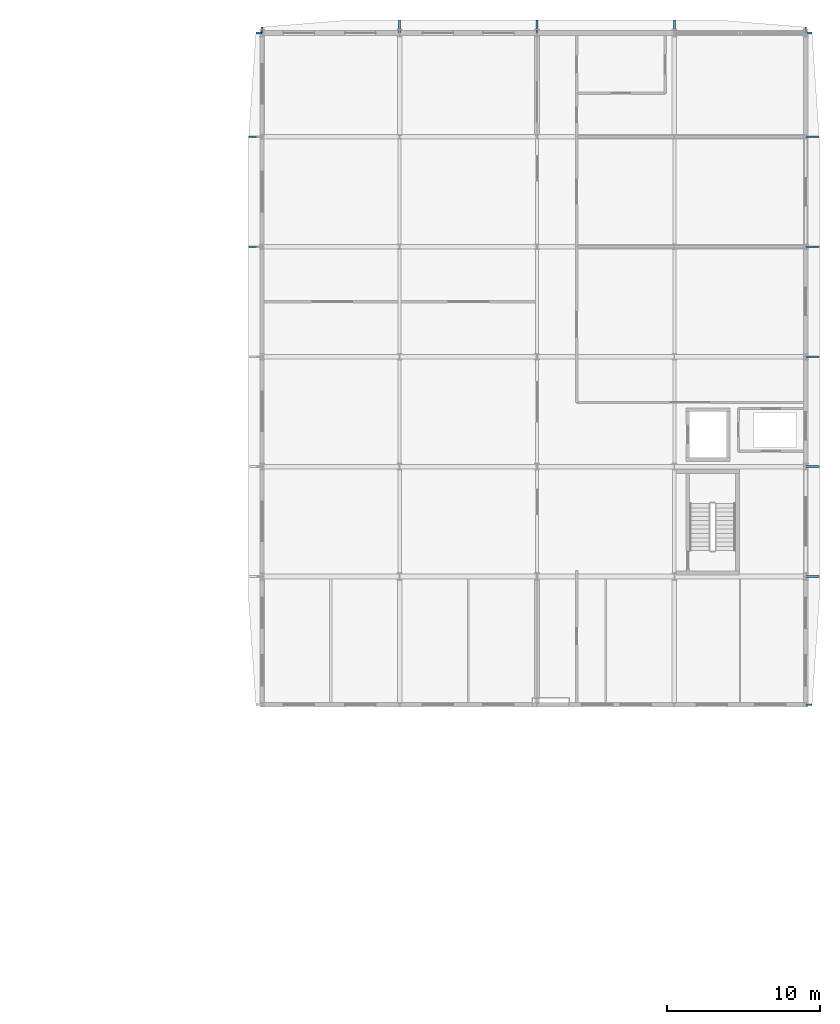
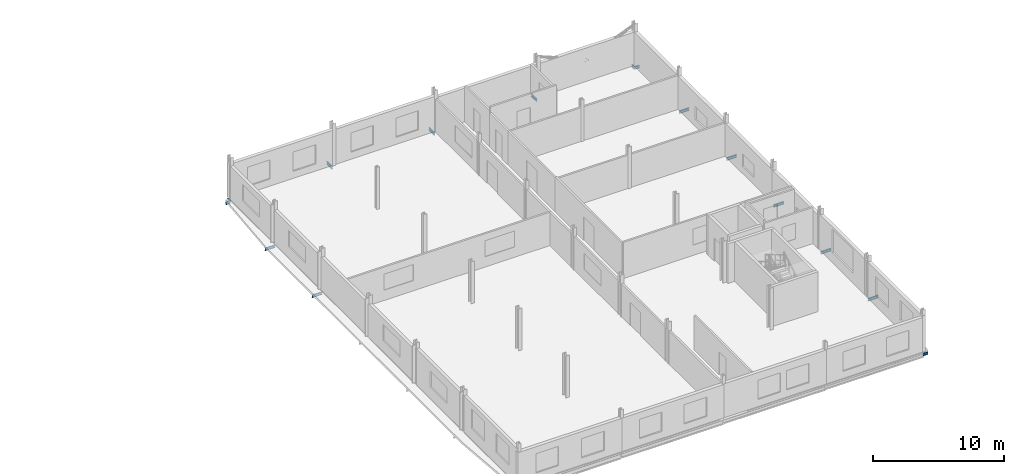
# One storey, part 28 of 49: 15 beams.
"""IFC4 building model written with IfcOpenShell, lengths in metres."""

import ifcopenshell
import ifcopenshell.guid

model = None  # the IFC model being written
_history = None  # IfcOwnerHistory: only IFC2X3 demands one
_inside = {}  # id of a spatial element -> (the spatial element, [elements in it])
_under = {}  # id of a project, library or spatial element -> (it, [spatial elements below it])
_declared = {}  # id of a project -> (the project, [libraries it declares])
_typed = {}  # id of a type object -> (the type object, [elements of that type])
_made_of = {}  # id of a material, layer set ... -> (it, [elements and type objects made of it])


def new_model(schema):
    """Start an empty IFC model of exactly this schema.

    Asked for "IFC4X3", IfcOpenShell would pick the latest addendum, in which some entities
    have other attributes; the version numbers below select the first issue.
    IFC2X3 requires an IfcOwnerHistory on every rooted entity: one is made here for all.
    """
    global model, _history
    if schema == "IFC4X3":
        model = ifcopenshell.file(schema_version=(4, 3, 0, 0))
    else:
        model = ifcopenshell.file(schema=schema)
    _inside.clear()
    _under.clear()
    _declared.clear()
    _typed.clear()
    _made_of.clear()
    _history = None
    if model.schema == "IFC2X3":
        org = make("IfcOrganization", Name="unknown")
        user = make(
            "IfcPersonAndOrganization",
            ThePerson=make("IfcPerson", FamilyName="unknown"),
            TheOrganization=org,
        )
        app = make(
            "IfcApplication",
            ApplicationDeveloper=org,
            Version="unknown",
            ApplicationFullName="unknown",
            ApplicationIdentifier="unknown",
        )
        _history = make(
            "IfcOwnerHistory",
            OwningUser=user,
            OwningApplication=app,
            ChangeAction="ADDED",
            CreationDate=0,
        )
    return model


def make(cls, **values):
    """One entity of the class cls with the attributes given. An attribute that is None is left unset."""
    return model.create_entity(
        cls, **{name: value for name, value in values.items() if value is not None}
    )


def rooted(cls, **values):
    """An entity with a GlobalId (a new one), such as an element, a storey or a relation."""
    return make(cls, GlobalId=ifcopenshell.guid.new(), OwnerHistory=_history, **values)


def si_unit(unit_type, name, prefix=None):
    """IfcSIUnit, for example si_unit("LENGTHUNIT", "METRE", prefix="MILLI")."""
    return make("IfcSIUnit", UnitType=unit_type, Prefix=prefix, Name=name)


def assignment(units):
    """IfcUnitAssignment: the units of a project."""
    return None if units is None else make("IfcUnitAssignment", Units=units)


def point(xyz):
    """IfcCartesianPoint."""
    return None if xyz is None else make("IfcCartesianPoint", Coordinates=xyz)


def direction(xyz):
    """IfcDirection."""
    return None if xyz is None else make("IfcDirection", DirectionRatios=xyz)


def frame(location, z_axis=None, x_axis=None):
    """IfcAxis2Placement3D, a coordinate frame: its origin and axes. An axis left out is left unset."""
    return make(
        "IfcAxis2Placement3D",
        Location=point(location),
        Axis=direction(z_axis),
        RefDirection=direction(x_axis),
    )


def frame_2d(location, x_axis=None):
    """IfcAxis2Placement2D, a coordinate frame in the plane: its origin and x axis."""
    return make(
        "IfcAxis2Placement2D", Location=point(location), RefDirection=direction(x_axis)
    )


def origin():
    """The frame at (0, 0, 0) with its axes left unset."""
    return frame((0.0, 0.0, 0.0))


def origin_2d():
    """The frame at (0, 0) in the plane with its x axis left unset."""
    return frame_2d((0.0, 0.0))


def place(relative_to, where):
    """IfcLocalPlacement: puts the frame where relative to a parent placement (None: the world)."""
    return make(
        "IfcLocalPlacement", PlacementRelTo=relative_to, RelativePlacement=where
    )


def context(
    kind, dimensions, precision=None, world=None, true_north=None, identifier=None
):
    """IfcGeometricRepresentationContext, for example the 3D "Model" context."""
    return make(
        "IfcGeometricRepresentationContext",
        ContextIdentifier=identifier,
        ContextType=kind,
        CoordinateSpaceDimension=dimensions,
        Precision=precision,
        WorldCoordinateSystem=world,
        TrueNorth=true_north,
    )


def subcontext(parent, identifier, kind, view, scale=None):
    """IfcGeometricRepresentationSubContext, for example "Body" below "Model"."""
    return make(
        "IfcGeometricRepresentationSubContext",
        ContextIdentifier=identifier,
        ContextType=kind,
        ParentContext=parent,
        TargetScale=scale,
        TargetView=view,
    )


def project(units=None, contexts=None):
    """IfcProject with its units and contexts."""
    return rooted(
        "IfcProject",
        Name="project",
        RepresentationContexts=contexts,
        UnitsInContext=assignment(units),
    )


def spatial(cls, under=None, at=None, **own):
    """A site, building, storey or space (cls), placed at a placement, below another one or the project."""
    s = rooted(cls, ObjectPlacement=at, **own)
    if under is not None:
        _under.setdefault(under.id(), (under, []))[1].append(s)
    return s


def profile(cls, at=None, kind="AREA", **sizes):
    """A parametric profile (cls). Its sizes go by their IFC names, for example OverallWidth=200.0."""
    return make(cls, ProfileType=kind, Position=at, **sizes)


def i_section(**sizes):
    """IfcIShapeProfileDef."""
    return profile("IfcIShapeProfileDef", **sizes)


def extrude(swept, where, along, depth):
    """IfcExtrudedAreaSolid: the profile swept, set in the frame where, extruded along a direction by depth."""
    return make(
        "IfcExtrudedAreaSolid",
        SweptArea=swept,
        Position=where,
        ExtrudedDirection=direction(along),
        Depth=depth,
    )


def shape(context_of_items, identifier, shape_type, items):
    """IfcShapeRepresentation: the items that make up one representation, for example the "Body"."""
    return make(
        "IfcShapeRepresentation",
        ContextOfItems=context_of_items,
        RepresentationIdentifier=identifier,
        RepresentationType=shape_type,
        Items=items,
    )


def material(Name=None, Category=None):
    """IfcMaterial."""
    return make("IfcMaterial", Name=Name, Category=Category)


def material_profile(
    of_material, cross_section, Name=None, Category=None, Priority=None
):
    """IfcMaterialProfile: a cross section and its material."""
    return make(
        "IfcMaterialProfile",
        Name=Name,
        Material=of_material,
        Profile=cross_section,
        Priority=Priority,
        Category=Category,
    )


def profile_set(profiles, Name=None, composite=None):
    """IfcMaterialProfileSet."""
    return make(
        "IfcMaterialProfileSet",
        Name=Name,
        MaterialProfiles=profiles,
        CompositeProfile=composite,
    )


def made_of(thing, what):
    """Note that an element or type object is made of a material, layer set ...; save() writes the relation."""
    if what is not None:
        _made_of.setdefault(what.id(), (what, []))[1].append(thing)
    return thing


def type_object(cls, material=None, **own):
    """A type object (cls), such as IfcWallType, which elements share."""
    return made_of(rooted(cls, **own), material)


def element(
    cls,
    number,
    at=None,
    inside=None,
    cuts=None,
    type_object=None,
    material=None,
    context=None,
    identifier="Body",
    shape_type=None,
    held_by="IfcProductDefinitionShape",
    body=None,
    shapes=None,
    **own,
):
    """One element of the class cls, such as IfcWall. Its Tag is "e" and its number.

    at: its placement. inside: the storey or other place that contains it. cuts: it is an
    opening in that element (IfcRelVoidsElement). A single representation is given by context,
    identifier, shape_type and body (its items); several are given by shapes. held_by: the class
    of the entity that holds the representations. save() writes the other relations.
    """
    e = rooted(cls, Tag="e%d" % number, ObjectPlacement=at, **own)
    if body is not None:
        shapes = [shape(context, identifier, shape_type, body)]
    if shapes is not None:
        e.Representation = make(held_by, Representations=shapes)
    if inside is not None:
        _inside.setdefault(inside.id(), (inside, []))[1].append(e)
    if cuts is not None:
        rooted(
            "IfcRelVoidsElement", RelatingBuildingElement=cuts, RelatedOpeningElement=e
        )
    if type_object is not None:
        _typed.setdefault(type_object.id(), (type_object, []))[1].append(e)
    return made_of(e, material)


def aggregate(whole, parts):
    """IfcRelAggregates: a whole, such as a stair, and the parts it consists of."""
    return rooted("IfcRelAggregates", RelatingObject=whole, RelatedObjects=parts)


def save(model, path):
    """Write the relations noted so far, then the file.

    IfcRelAggregates (storeys below a building ...), IfcRelContainedInSpatialStructure (elements
    in a storey), IfcRelDefinesByType, IfcRelAssociatesMaterial and IfcRelDeclares: one each for
    every whole, place, type object, material and project.
    """
    for whole, parts in _under.values():
        aggregate(whole, parts)
    for where, things in _inside.values():
        rooted(
            "IfcRelContainedInSpatialStructure",
            RelatedElements=things,
            RelatingStructure=where,
        )
    for kind, things in _typed.values():
        rooted("IfcRelDefinesByType", RelatedObjects=things, RelatingType=kind)
    for what, things in _made_of.values():
        rooted("IfcRelAssociatesMaterial", RelatedObjects=things, RelatingMaterial=what)
    for by, libraries in _declared.values():
        rooted("IfcRelDeclares", RelatingContext=by, RelatedDefinitions=libraries)
    model.write(path)


model = new_model("IFC4")

# Units and contexts
model_context = context("Model", 3, precision=1e-05, world=origin(), true_north=direction((0.0, 1.0)))
body_context = subcontext(model_context, "Body", "Model", "MODEL_VIEW")
ifc_project = project(units=[si_unit("LENGTHUNIT", "METRE"), si_unit("AREAUNIT", "SQUARE_METRE"), si_unit("VOLUMEUNIT", "CUBIC_METRE"), si_unit("PLANEANGLEUNIT", "RADIAN"), si_unit("MASSUNIT", "GRAM", prefix="KILO")], contexts=[model_context])

# Site, building, storey
site_placement = place(None, origin())
site = spatial("IfcSite", under=ifc_project, at=site_placement, CompositionType="ELEMENT")
building_placement = place(site_placement, origin())
building = spatial("IfcBuilding", under=site, at=building_placement, Name="Vinh Khe Railworks Police Headquarters", CompositionType="ELEMENT")
storey_placement = place(building_placement, frame((0.0, 0.0, 17.10009765625)))
storey = spatial("IfcBuildingStorey", under=building, at=storey_placement, Name="L04", CompositionType="ELEMENT", Elevation=17.10009765625)

# Beams
ifc_material = material(Name="Steel S355JR", Category="steel")
ifc_material_profile = material_profile(ifc_material, i_section(OverallWidth=0.1201171875, OverallDepth=0.239990234375, WebThickness=0.006103515625, FlangeThickness=0.009765625, FilletRadius=0.014892578125, at=origin_2d()), Name="IPE 240")
ifc_profile_set = profile_set([ifc_material_profile], Name="Steel S355JR")
beam_type = type_object("IfcBeamType", Name="Monsoon Hood Outrigger IPE 240", PredefinedType="BEAM", material=ifc_profile_set)
beam_1_placement = place(storey_placement, frame((77.10009765625, 152.39990234375, -0.360107421875), z_axis=(1.0, 0.0, 0.0), x_axis=(0.0, 1.0, 0.0)))
element("IfcBeam", 1, at=beam_1_placement, inside=storey, type_object=beam_type, Name="Monsoon Sun-Hood Outrigger L04-214", PredefinedType="BEAM", context=body_context, shape_type="SweptSolid", body=[
    extrude(i_section(OverallWidth=0.1201171875, OverallDepth=0.239990234375, WebThickness=0.006103515625, FlangeThickness=0.009765625, FilletRadius=0.014892578125, at=origin_2d()), origin(), (0.0, 0.0, 1.0), 0.89990234375),
])
beam_2_placement = place(storey_placement, frame((77.11669921875, 159.60009765625, -0.360107421875), z_axis=(1.0, 0.0, 0.0), x_axis=(0.0, 1.0, 0.0)))
element("IfcBeam", 2, at=beam_2_placement, inside=storey, type_object=beam_type, Name="Monsoon Sun-Hood Outrigger L04-215", PredefinedType="BEAM", context=body_context, shape_type="SweptSolid", body=[
    extrude(i_section(OverallWidth=0.1201171875, OverallDepth=0.239990234375, WebThickness=0.006103515625, FlangeThickness=0.009765625, FilletRadius=0.014892578125, at=origin_2d()), origin(), (0.0, 0.0, 1.0), 0.88330078125),
])
beam_3_placement = place(storey_placement, frame((77.58740234375, 166.39990234375, -0.360107421875), z_axis=(1.0, 0.0, 0.0), x_axis=(0.0, 1.0, 0.0)))
element("IfcBeam", 3, at=beam_3_placement, inside=storey, type_object=beam_type, Name="Monsoon Sun-Hood Outrigger L04-216", PredefinedType="BEAM", context=body_context, shape_type="SweptSolid", body=[
    extrude(i_section(OverallWidth=0.1201171875, OverallDepth=0.239990234375, WebThickness=0.006103515625, FlangeThickness=0.009765625, FilletRadius=0.014892578125, at=origin_2d()), origin(), (0.0, 0.0, 1.0), 0.41259765625),
])
beam_4_placement = place(storey_placement, frame((113.60009765625, 122.39990234375, -0.360107421875), z_axis=(1.0, 0.0, 0.0), x_axis=(0.0, 1.0, 0.0)))
element("IfcBeam", 4, at=beam_4_placement, inside=storey, type_object=beam_type, Name="Monsoon Sun-Hood Outrigger L04-217", PredefinedType="BEAM", context=body_context, shape_type="SweptSolid", body=[
    extrude(i_section(OverallWidth=0.1201171875, OverallDepth=0.239990234375, WebThickness=0.006103515625, FlangeThickness=0.009765625, FilletRadius=0.014892578125, at=origin_2d()), origin(), (0.0, 0.0, 1.0), 0.4189453125),
])
for number, where, z_axis, x_axis, name in (
    (5, (113.60009765625, 130.800048828125, -0.360107421875), (1.0, 0.0, 0.0), (0.0, 1.0, 0.0), "Monsoon Sun-Hood Outrigger L04-218"),
    (6, (113.60009765625, 138.0, -0.360107421875), (1.0, 0.0, 0.0), (0.0, 1.0, 0.0), "Monsoon Sun-Hood Outrigger L04-219"),
    (7, (113.60009765625, 145.199951171875, -0.360107421875), (1.0, 0.0, 0.0), (0.0, 1.0, 0.0), "Monsoon Sun-Hood Outrigger L04-220"),
    (8, (113.60009765625, 152.39990234375, -0.360107421875), (1.0, 0.0, 0.0), (0.0, 1.0, 0.0), "Monsoon Sun-Hood Outrigger L04-221"),
):
    element("IfcBeam", number, at=place(storey_placement, frame(where, z_axis=z_axis, x_axis=x_axis)), inside=storey, type_object=beam_type, Name=name, PredefinedType="BEAM", context=body_context, shape_type="SweptSolid", body=[
        extrude(i_section(OverallWidth=0.1201171875, OverallDepth=0.239990234375, WebThickness=0.006103515625, FlangeThickness=0.009765625, FilletRadius=0.014892578125, at=origin_2d()), origin(), (0.0, 0.0, 1.0), 0.89990234375),
    ])
beam_5_placement = place(storey_placement, frame((113.60009765625, 159.60009765625, -0.360107421875), z_axis=(1.0, 0.0, 0.0), x_axis=(0.0, 1.0, 0.0)))
element("IfcBeam", 9, at=beam_5_placement, inside=storey, type_object=beam_type, Name="Monsoon Sun-Hood Outrigger L04-222", PredefinedType="BEAM", context=body_context, shape_type="SweptSolid", body=[
    extrude(i_section(OverallWidth=0.1201171875, OverallDepth=0.239990234375, WebThickness=0.006103515625, FlangeThickness=0.009765625, FilletRadius=0.014892578125, at=origin_2d()), origin(), (0.0, 0.0, 1.0), 0.883544921875),
])
beam_6_placement = place(storey_placement, frame((113.60009765625, 166.39990234375, -0.360107421875), z_axis=(1.0, 0.0, 0.0), x_axis=(0.0, 1.0, 0.0)))
element("IfcBeam", 10, at=beam_6_placement, inside=storey, type_object=beam_type, Name="Monsoon Sun-Hood Outrigger L04-223", PredefinedType="BEAM", context=body_context, shape_type="SweptSolid", body=[
    extrude(i_section(OverallWidth=0.1201171875, OverallDepth=0.239990234375, WebThickness=0.006103515625, FlangeThickness=0.009765625, FilletRadius=0.014892578125, at=origin_2d()), origin(), (0.0, 0.0, 1.0), 0.4189453125),
])
beam_7_placement = place(storey_placement, frame((78.0, 166.39990234375, -0.360107421875), z_axis=(0.0, 1.0, 0.0), x_axis=(-1.0, 0.0, 0.0)))
element("IfcBeam", 11, at=beam_7_placement, inside=storey, type_object=beam_type, Name="Monsoon Sun-Hood Outrigger L04-224", PredefinedType="BEAM", context=body_context, shape_type="SweptSolid", body=[
    extrude(i_section(OverallWidth=0.1201171875, OverallDepth=0.239990234375, WebThickness=0.006103515625, FlangeThickness=0.009765625, FilletRadius=0.014892578125, at=origin_2d()), origin(), (0.0, 0.0, 1.0), 0.388671875),
])
for number, where, z_axis, x_axis, name in (
    (12, (87.0, 166.39990234375, -0.360107421875), (0.0, 1.0, 0.0), (-1.0, 0.0, 0.0), "Monsoon Sun-Hood Outrigger L04-225"),
    (13, (96.0, 166.39990234375, -0.360107421875), (0.0, 1.0, 0.0), (-1.0, 0.0, 0.0), "Monsoon Sun-Hood Outrigger L04-226"),
    (14, (105.0, 166.39990234375, -0.360107421875), (0.0, 1.0, 0.0), (-1.0, 0.0, 0.0), "Monsoon Sun-Hood Outrigger L04-227"),
):
    element("IfcBeam", number, at=place(storey_placement, frame(where, z_axis=z_axis, x_axis=x_axis)), inside=storey, type_object=beam_type, Name=name, PredefinedType="BEAM", context=body_context, shape_type="SweptSolid", body=[
        extrude(i_section(OverallWidth=0.1201171875, OverallDepth=0.239990234375, WebThickness=0.006103515625, FlangeThickness=0.009765625, FilletRadius=0.014892578125, at=origin_2d()), origin(), (0.0, 0.0, 1.0), 0.85009765625),
    ])
beam_8_placement = place(storey_placement, frame((113.60009765625, 166.39990234375, -0.360107421875), z_axis=(0.0, 1.0, 0.0), x_axis=(-1.0, 0.0, 0.0)))
element("IfcBeam", 15, at=beam_8_placement, inside=storey, type_object=beam_type, Name="Monsoon Sun-Hood Outrigger L04-228", PredefinedType="BEAM", context=body_context, shape_type="SweptSolid", body=[
    extrude(i_section(OverallWidth=0.1201171875, OverallDepth=0.239990234375, WebThickness=0.006103515625, FlangeThickness=0.009765625, FilletRadius=0.014892578125, at=origin_2d()), origin(), (0.0, 0.0, 1.0), 0.388671875),
])

save(model, "model.ifc")
